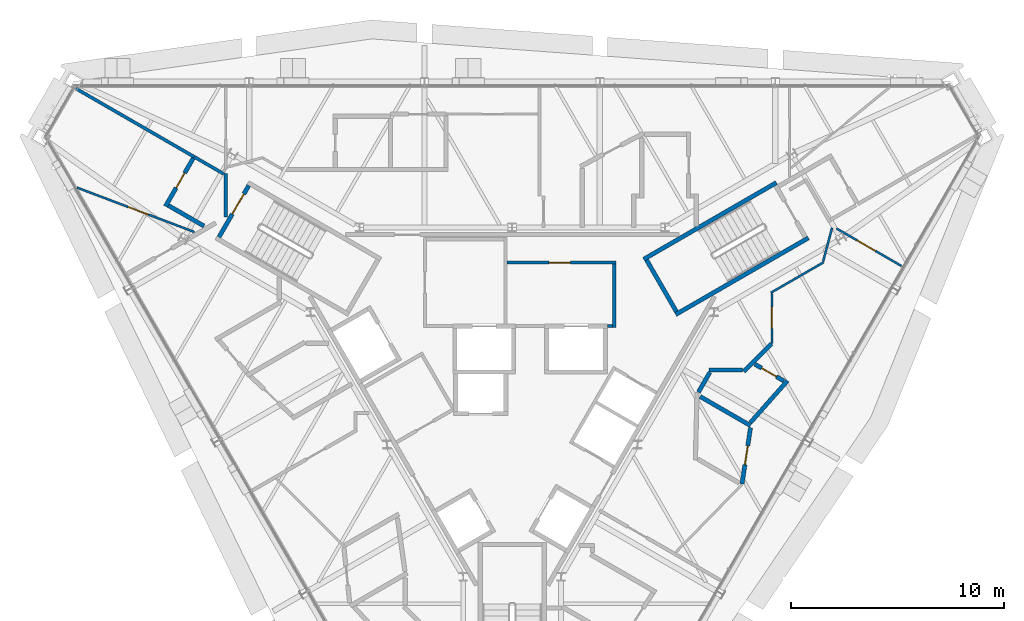
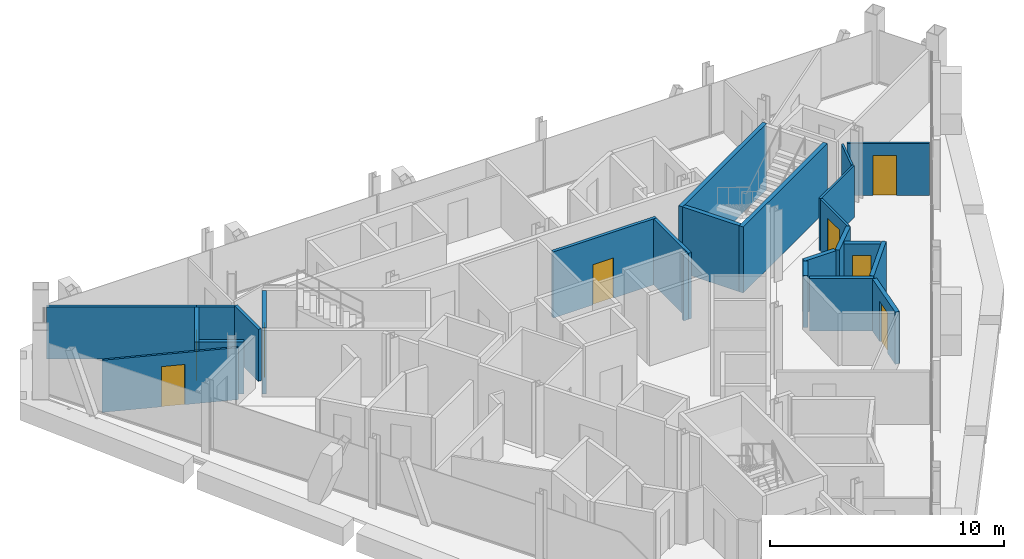
# One storey, part 11 of 15: 24 walls, 8 doors, 8 openings.
"""IFC4 building model written with IfcOpenShell, lengths in metres."""

from ifc_helpers import new_model, si_unit, direction, frame, frame_2d, origin, place, context, subcontext, project, spatial, rectangle, extrude, material, layer, layer_set, type_object, element, fill, save


model = new_model("IFC4")

# Units and contexts
model_context = context("Model", 3, precision=1e-05, world=origin(), true_north=direction((0.0, 1.0)))
body_context = subcontext(model_context, "Body", "Model", "MODEL_VIEW")
ifc_project = project(units=[si_unit("LENGTHUNIT", "METRE"), si_unit("AREAUNIT", "SQUARE_METRE"), si_unit("VOLUMEUNIT", "CUBIC_METRE"), si_unit("PLANEANGLEUNIT", "RADIAN"), si_unit("MASSUNIT", "GRAM", prefix="KILO")], contexts=[model_context])

# Site, building, storey
site_placement = place(None, origin())
site = spatial("IfcSite", under=ifc_project, at=site_placement, CompositionType="ELEMENT")
building_placement = place(site_placement, origin())
building = spatial("IfcBuilding", under=site, at=building_placement, Name="Verrane Prism Tower", CompositionType="ELEMENT")
storey_placement = place(building_placement, frame((0.0, 0.0, 301.0)))
storey = spatial("IfcBuildingStorey", under=building, at=storey_placement, Name="L76", CompositionType="ELEMENT", Elevation=301.0)

# Walls
ifc_material_1 = material(Name="Concrete C40/50", Category="concrete")
ifc_layer_1 = layer(ifc_material_1, 0.199951171875)
ifc_layer_set_1 = layer_set([ifc_layer_1], Name="CW-200 stair core wall concrete C40/50 3 h")
wall_type_1 = type_object("IfcWallType", Name="CW-200 stair core wall concrete C40/50 3 h", PredefinedType="PARTITIONING", material=ifc_layer_set_1)
for number, where, z_axis, x_axis, name in (
    (1, (6.17822265625, 5.299072265625, 0.0), (0.0, 0.0, 1.0), (0.866033125095, 0.499986626058, 0.0), "Stair 1 enclosure wall"),
    (2, (7.67822265625, 2.700927734375, 0.0), (0.0, 0.0, 1.0), (0.866018442252, 0.500012057535, 0.0), "Stair 1 enclosure wall"),
):
    element("IfcWall", number, at=place(storey_placement, frame(where, z_axis=z_axis, x_axis=x_axis)), inside=storey, type_object=wall_type_1, Name=name, PredefinedType="PARTITIONING", context=body_context, shape_type="SweptSolid", body=[
        extrude(rectangle(XDim=7.199951171875, YDim=0.199951171875, at=frame_2d((3.60009765625, 0.0))), origin(), (0.0, 0.0, 1.0), 3.449951171875),
    ])
wall_1_placement = place(storey_placement, frame((7.71484375, 2.837646484375, 0.0), z_axis=(0.0, 0.0, 1.0), x_axis=(-0.500049511043, 0.865996816683, 0.0)))
element("IfcWall", 3, at=wall_1_placement, inside=storey, type_object=wall_type_1, Name="Stair 1 enclosure wall", PredefinedType="PARTITIONING", context=body_context, shape_type="SweptSolid", body=[
    extrude(rectangle(XDim=2.800048828125, YDim=0.199951171875, at=frame_2d((1.39990234375, 0.0))), origin(), (0.0, 0.0, 1.0), 3.449951171875),
])

# Wall, opening, door
wall_2_placement = place(storey_placement, frame((-12.376953125, 8.762451171875, 0.0), z_axis=(0.0, 0.0, 1.0), x_axis=(-0.500049511043, -0.865996816683, 0.0)))
wall_2 = element("IfcWall", 4, at=wall_2_placement, inside=storey, type_object=wall_type_1, Name="Stair 2 enclosure wall", PredefinedType="PARTITIONING", context=body_context, shape_type="SweptSolid", body=[
    extrude(rectangle(XDim=2.800048828125, YDim=0.199951171875, at=frame_2d((1.39990234375, 0.0))), origin(), (0.0, 0.0, 1.0), 3.449951171875),
])
opening_1_placement = place(wall_2_placement, frame((0.449951171875, 0.0, 0.0)))
opening_1 = element("IfcOpeningElement", 5, at=opening_1_placement, cuts=wall_2, Name="Opening D75501", PredefinedType="OPENING", context=body_context, shape_type="SweptSolid", body=[
    extrude(rectangle(XDim=1.10009765625, YDim=2.10009765625, at=frame_2d((0.550048828125, 1.050048828125))), frame((0.0, 0.10986328125, 0.0), z_axis=(0.0, -1.0, 0.0), x_axis=(1.0, 0.0, 0.0)), (0.0, 0.0, 1.0), 0.219970703125),
])
ifc_material_2 = material(Name="Timber veneered door leaf", Category="wood")
door_type_1 = type_object("IfcDoorType", Name="DR-1100x2100 FD90 single leaf stair", OperationType="NOTDEFINED", PredefinedType="DOOR", material=ifc_material_2)
door_1_placement = place(opening_1_placement, origin())
door_1 = element("IfcDoor", 6, at=door_1_placement, inside=storey, type_object=door_type_1, Name="Stair 2 door", OperationType="SINGLE_SWING_RIGHT", OverallHeight=2.10009765625, OverallWidth=1.10009765625, PredefinedType="DOOR", context=body_context, shape_type="SweptSolid", body=[
    extrude(rectangle(XDim=1.10009765625, YDim=2.10009765625, at=frame_2d((0.550048828125, 1.050048828125))), frame((0.0, 0.02490234375, 0.0), z_axis=(0.0, -1.0, 0.0), x_axis=(1.0, 0.0, 0.0)), (0.0, 0.0, 1.0), 0.050048828125),
])
fill(opening_1, door_1)

ifc_material_3 = material(Name="Gypsum board partition", Category="other")
ifc_layer_2 = layer(ifc_material_3, 0.14990234375)
ifc_layer_set_2 = layer_set([ifc_layer_2], Name="LF-150 firefighting lobby wall 1 h")
wall_type_2 = type_object("IfcWallType", Name="LF-150 firefighting lobby wall 1 h", PredefinedType="PARTITIONING", material=ifc_layer_set_2)
wall_3_placement = place(storey_placement, frame((-0.2451171875, 5.139892578125, 0.0), z_axis=(0.0, 0.0, 1.0), x_axis=(1.0, 0.0, 0.0)))
wall_3 = element("IfcWall", 7, at=wall_3_placement, inside=storey, type_object=wall_type_2, Name="Firefighting lobby wall LF1-005", PredefinedType="PARTITIONING", context=body_context, shape_type="SweptSolid", body=[
    extrude(rectangle(XDim=5.110107421875, YDim=0.14990234375, at=frame_2d((2.55517578125, 0.0))), origin(), (0.0, 0.0, 1.0), 3.449951171875),
])
opening_2_placement = place(wall_3_placement, frame((1.97509765625, 0.0, 0.0)))
opening_2 = element("IfcOpeningElement", 8, at=opening_2_placement, cuts=wall_3, Name="Opening D75513", PredefinedType="OPENING", context=body_context, shape_type="SweptSolid", body=[
    extrude(rectangle(XDim=1.0, YDim=2.10009765625, at=frame_2d((0.5, 1.050048828125))), frame((0.0, 0.0849609375, 0.0), z_axis=(0.0, -1.0, 0.0), x_axis=(1.0, 0.0, 0.0)), (0.0, 0.0, 1.0), 0.169921875),
])
ifc_material_4 = material(Name="Timber veneered door leaf", Category="wood")
door_type_2 = type_object("IfcDoorType", Name="DR-1000x2100 FD60 single leaf firefighting lobby", OperationType="NOTDEFINED", PredefinedType="DOOR", material=ifc_material_4)
door_2_placement = place(opening_2_placement, origin())
door_2 = element("IfcDoor", 9, at=door_2_placement, inside=storey, type_object=door_type_2, Name="Firefighting lobby door D75513", OperationType="SINGLE_SWING_LEFT", OverallHeight=2.10009765625, OverallWidth=1.0, PredefinedType="DOOR", context=body_context, shape_type="SweptSolid", body=[
    extrude(rectangle(XDim=1.0, YDim=2.10009765625, at=frame_2d((0.5, 1.050048828125))), frame((0.0, 0.02490234375, 0.0), z_axis=(0.0, -1.0, 0.0), x_axis=(1.0, 0.0, 0.0)), (0.0, 0.0, 1.0), 0.050048828125),
])
fill(opening_2, door_2)

# Walls
wall_4_placement = place(storey_placement, frame((4.47705078125, 2.159912109375, 0.0), z_axis=(0.0, 0.0, 1.0), x_axis=(1.0, 0.0, 0.0)))
element("IfcWall", 10, at=wall_4_placement, inside=storey, type_object=wall_type_2, Name="Firefighting lobby wall LF1-007", PredefinedType="PARTITIONING", context=body_context, shape_type="SweptSolid", body=[
    extrude(rectangle(XDim=0.238037109375, YDim=0.14990234375, at=frame_2d((0.119140625, 0.0))), origin(), (0.0, 0.0, 1.0), 3.449951171875),
])
wall_5_placement = place(storey_placement, frame((4.7900390625, 2.0849609375, 0.0), z_axis=(0.0, 0.0, 1.0), x_axis=(0.0, 1.0, 0.0)))
element("IfcWall", 11, at=wall_5_placement, inside=storey, type_object=wall_type_2, Name="Firefighting lobby wall LF1-008", PredefinedType="PARTITIONING", context=body_context, shape_type="SweptSolid", body=[
    extrude(rectangle(XDim=2.97998046875, YDim=0.14990234375, at=frame_2d((1.489990234375, 0.0))), origin(), (0.0, 0.0, 1.0), 3.449951171875),
])

# Wall, opening, door
ifc_material_5 = material(Name="Gypsum board partition", Category="other")
ifc_layer_3 = layer(ifc_material_5, 0.10009765625)
ifc_layer_set_3 = layer_set([ifc_layer_3], Name="PW-100 room partition")
wall_type_3 = type_object("IfcWallType", Name="PW-100 room partition", PredefinedType="PARTITIONING", material=ifc_layer_set_3)
wall_6_placement = place(storey_placement, frame((-20.454345703125, 8.66748046875, 0.0), z_axis=(0.0, 0.0, 1.0), x_axis=(0.935410436961, -0.353563734601, 0.0)))
wall_6 = element("IfcWall", 12, at=wall_6_placement, inside=storey, type_object=wall_type_3, Name="Room partition 002", PredefinedType="PARTITIONING", context=body_context, shape_type="SweptSolid", body=[
    extrude(rectangle(XDim=5.90673828125, YDim=0.10009765625, at=frame_2d((2.953369140625, 0.0))), origin(), (0.0, 0.0, 1.0), 2.722900390625),
])
opening_3_placement = place(wall_6_placement, frame((2.581787109375, 0.0, 0.0)))
opening_3 = element("IfcOpeningElement", 13, at=opening_3_placement, cuts=wall_6, Name="Opening D75025", PredefinedType="OPENING", context=body_context, shape_type="SweptSolid", body=[
    extrude(rectangle(XDim=1.0, YDim=2.10009765625, at=frame_2d((0.5, 1.050048828125))), frame((0.0, 0.06005859375, 0.0), z_axis=(0.0, -1.0, 0.0), x_axis=(1.0, 0.0, 0.0)), (0.0, 0.0, 1.0), 0.1201171875),
])
ifc_material_6 = material(Name="Timber veneered door leaf", Category="wood")
door_type_3 = type_object("IfcDoorType", Name="DR-1000x2100 single leaf inner", OperationType="NOTDEFINED", PredefinedType="DOOR", material=ifc_material_6)
door_3_placement = place(opening_3_placement, origin())
door_3 = element("IfcDoor", 14, at=door_3_placement, inside=storey, type_object=door_type_3, Name="Study door", OperationType="SINGLE_SWING_LEFT", OverallHeight=2.10009765625, OverallWidth=1.0, PredefinedType="DOOR", context=body_context, shape_type="SweptSolid", body=[
    extrude(rectangle(XDim=1.0, YDim=2.10009765625, at=frame_2d((0.5, 1.050048828125))), frame((0.0, 0.02490234375, 0.0), z_axis=(0.0, -1.0, 0.0), x_axis=(1.0, 0.0, 0.0)), (0.0, 0.0, 1.0), 0.050048828125),
])
fill(opening_3, door_3)

wall_7_placement = place(storey_placement, frame((12.198974609375, 3.681884765625, 0.0), z_axis=(0.0, 0.0, 1.0), x_axis=(0.0, -1.0, 0.0)))
wall_7 = element("IfcWall", 15, at=wall_7_placement, inside=storey, type_object=wall_type_3, Name="Room partition 080", PredefinedType="PARTITIONING", context=body_context, shape_type="SweptSolid", body=[
    extrude(rectangle(XDim=2.330810546875, YDim=0.10009765625, at=frame_2d((1.16552734375, 0.0))), origin(), (0.0, 0.0, 1.0), 2.722900390625),
])
opening_4_placement = place(wall_7_placement, frame((0.631103515625, 0.0, 0.0)))
opening_4 = element("IfcOpeningElement", 16, at=opening_4_placement, cuts=wall_7, Name="Opening D75007", PredefinedType="OPENING", context=body_context, shape_type="SweptSolid", body=[
    extrude(rectangle(XDim=1.0, YDim=2.10009765625, at=frame_2d((0.5, 1.050048828125))), frame((0.0, 0.06005859375, 0.0), z_axis=(0.0, -1.0, 0.0), x_axis=(1.0, 0.0, 0.0)), (0.0, 0.0, 1.0), 0.1201171875),
])
door_4_placement = place(opening_4_placement, origin())
door_4 = element("IfcDoor", 17, at=door_4_placement, inside=storey, type_object=door_type_3, Name="Entrance Foyer door", OperationType="SINGLE_SWING_RIGHT", OverallHeight=2.10009765625, OverallWidth=1.0, PredefinedType="DOOR", context=body_context, shape_type="SweptSolid", body=[
    extrude(rectangle(XDim=1.0, YDim=2.10009765625, at=frame_2d((0.5, 1.050048828125))), frame((0.0, 0.02490234375, 0.0), z_axis=(0.0, -1.0, 0.0), x_axis=(1.0, 0.0, 0.0)), (0.0, 0.0, 1.0), 0.050048828125),
])
fill(opening_4, door_4)

# Walls
wall_8_placement = place(storey_placement, frame((12.15576171875, 3.72705078125, 0.0), z_axis=(0.0, 0.0, 1.0), x_axis=(0.866012137121, 0.500022977831, 0.0)))
element("IfcWall", 18, at=wall_8_placement, inside=storey, type_object=wall_type_3, Name="Room partition 081", PredefinedType="PARTITIONING", context=body_context, shape_type="SweptSolid", body=[
    extrude(rectangle(XDim=2.859619140625, YDim=0.10009765625, at=frame_2d((1.4296875, 0.0))), origin(), (0.0, 0.0, 1.0), 2.722900390625),
])
wall_9_placement = place(storey_placement, frame((14.607177734375, 5.19970703125, 0.0), z_axis=(0.0, 0.0, 1.0), x_axis=(0.258519214507, 0.966006115783, 0.0)))
element("IfcWall", 19, at=wall_9_placement, inside=storey, type_object=wall_type_3, Name="Room partition 087", PredefinedType="PARTITIONING", context=body_context, shape_type="SweptSolid", body=[
    extrude(rectangle(XDim=1.6318359375, YDim=0.10009765625, at=frame_2d((0.81591796875, 0.0))), origin(), (0.0, 0.0, 1.0), 2.722900390625),
])

# Wall, opening, door
wall_10_placement = place(storey_placement, frame((15.23779296875, 6.74365234375, 0.0), z_axis=(0.0, 0.0, 1.0), x_axis=(0.866104892567, -0.49986229611, 0.0)))
wall_10 = element("IfcWall", 20, at=wall_10_placement, inside=storey, type_object=wall_type_3, Name="Room partition 090", PredefinedType="PARTITIONING", context=body_context, shape_type="SweptSolid", body=[
    extrude(rectangle(XDim=3.5263671875, YDim=0.10009765625, at=frame_2d((1.76318359375, 0.0))), origin(), (0.0, 0.0, 1.0), 2.722900390625),
])
opening_5_placement = place(wall_10_placement, frame((1.113525390625, 0.0, 0.0)))
opening_5 = element("IfcOpeningElement", 21, at=opening_5_placement, cuts=wall_10, Name="Opening D75009", PredefinedType="OPENING", context=body_context, shape_type="SweptSolid", body=[
    extrude(rectangle(XDim=1.0, YDim=2.10009765625, at=frame_2d((0.5, 1.050048828125))), frame((0.0, 0.06005859375, 0.0), z_axis=(0.0, -1.0, 0.0), x_axis=(1.0, 0.0, 0.0)), (0.0, 0.0, 1.0), 0.1201171875),
])
door_5_placement = place(opening_5_placement, origin())
door_5 = element("IfcDoor", 22, at=door_5_placement, inside=storey, type_object=door_type_3, Name="Living And Dining Room door", OperationType="SINGLE_SWING_LEFT", OverallHeight=2.10009765625, OverallWidth=1.0, PredefinedType="DOOR", context=body_context, shape_type="SweptSolid", body=[
    extrude(rectangle(XDim=1.0, YDim=2.10009765625, at=frame_2d((0.5, 1.050048828125))), frame((0.0, 0.02490234375, 0.0), z_axis=(0.0, -1.0, 0.0), x_axis=(1.0, 0.0, 0.0)), (0.0, 0.0, 1.0), 0.050048828125),
])
fill(opening_5, door_5)

# Walls
ifc_material_7 = material(Name="Gypsum board partition", Category="other")
ifc_layer_4 = layer(ifc_material_7, 0.14990234375)
ifc_layer_set_4 = layer_set([ifc_layer_4], Name="PW-150 demising wall 1 h")
wall_type_4 = type_object("IfcWallType", Name="PW-150 demising wall 1 h", PredefinedType="PARTITIONING", material=ifc_layer_set_4)
wall_11_placement = place(storey_placement, frame((-20.505859375, 13.323974609375, 0.0), z_axis=(0.0, 0.0, 1.0), x_axis=(0.866004971522, -0.500035388047, 0.0)))
element("IfcWall", 23, at=wall_11_placement, inside=storey, type_object=wall_type_4, Name="Demising wall 001", PredefinedType="PARTITIONING", context=body_context, shape_type="SweptSolid", body=[
    extrude(rectangle(XDim=6.41552734375, YDim=0.14990234375, at=frame_2d((3.207763671875, 0.0))), origin(), (0.0, 0.0, 1.0), 2.722900390625),
])
wall_12_placement = place(storey_placement, frame((-14.945068359375, 10.114013671875, 0.0), z_axis=(0.0, 0.0, 1.0), x_axis=(0.865722560266, -0.500524173887, 0.0)))
element("IfcWall", 24, at=wall_12_placement, inside=storey, type_object=wall_type_4, Name="Demising wall 006", PredefinedType="PARTITIONING", context=body_context, shape_type="SweptSolid", body=[
    extrude(rectangle(XDim=1.616455078125, YDim=0.14990234375, at=frame_2d((0.80810546875, 0.0))), origin(), (0.0, 0.0, 1.0), 2.722900390625),
])
wall_13_placement = place(storey_placement, frame((-13.458984375, 7.27587890625, 0.0), z_axis=(0.0, 0.0, 1.0), x_axis=(0.0, 1.0, 0.0)))
element("IfcWall", 25, at=wall_13_placement, inside=storey, type_object=wall_type_4, Name="Demising wall 010", PredefinedType="PARTITIONING", context=body_context, shape_type="SweptSolid", body=[
    extrude(rectangle(XDim=2.05419921875, YDim=0.14990234375, at=frame_2d((1.027099609375, 0.0))), origin(), (0.0, 0.0, 1.0), 2.722900390625),
])

# Wall, opening, door
ifc_material_8 = material(Name="Gypsum board partition", Category="other")
ifc_layer_5 = layer(ifc_material_8, 0.199951171875)
ifc_layer_set_5 = layer_set([ifc_layer_5], Name="PW-200 plumbing wall")
wall_type_5 = type_object("IfcWallType", Name="PW-200 plumbing wall", PredefinedType="PARTITIONING", material=ifc_layer_set_5)
wall_14_placement = place(storey_placement, frame((-14.985107421875, 10.044677734375, 0.0), z_axis=(0.0, 0.0, 1.0), x_axis=(-0.499917058339, -0.866073284879, 0.0)))
wall_14 = element("IfcWall", 26, at=wall_14_placement, inside=storey, type_object=wall_type_5, Name="Plumbing wall 004", PredefinedType="PARTITIONING", context=body_context, shape_type="SweptSolid", body=[
    extrude(rectangle(XDim=2.6064453125, YDim=0.199951171875, at=frame_2d((1.30322265625, 0.0))), origin(), (0.0, 0.0, 1.0), 2.722900390625),
])
opening_6_placement = place(wall_14_placement, frame((0.806396484375, 0.0, 0.0)))
opening_6 = element("IfcOpeningElement", 27, at=opening_6_placement, cuts=wall_14, Name="Opening D75026", PredefinedType="OPENING", context=body_context, shape_type="SweptSolid", body=[
    extrude(rectangle(XDim=0.800048828125, YDim=2.10009765625, at=frame_2d((0.39990234375, 1.050048828125))), frame((0.0, 0.10986328125, 0.0), z_axis=(0.0, -1.0, 0.0), x_axis=(1.0, 0.0, 0.0)), (0.0, 0.0, 1.0), 0.219970703125),
])
ifc_material_9 = material(Name="Timber veneered door leaf", Category="wood")
door_type_4 = type_object("IfcDoorType", Name="DR-800x2100 single leaf bath", OperationType="NOTDEFINED", PredefinedType="DOOR", material=ifc_material_9)
door_6_placement = place(opening_6_placement, origin())
door_6 = element("IfcDoor", 28, at=door_6_placement, inside=storey, type_object=door_type_4, Name="Master Bathroom door", OperationType="SINGLE_SWING_LEFT", OverallHeight=2.10009765625, OverallWidth=0.800048828125, PredefinedType="DOOR", context=body_context, shape_type="SweptSolid", body=[
    extrude(rectangle(XDim=0.800048828125, YDim=2.10009765625, at=frame_2d((0.39990234375, 1.050048828125))), frame((0.0, 0.02490234375, 0.0), z_axis=(0.0, -1.0, 0.0), x_axis=(1.0, 0.0, 0.0)), (0.0, 0.0, 1.0), 0.050048828125),
])
fill(opening_6, door_6)

# Walls
wall_15_placement = place(storey_placement, frame((-16.1513671875, 7.823974609375, 0.0), z_axis=(0.0, 0.0, 1.0), x_axis=(0.86603803935, -0.499978113919, 0.0)))
element("IfcWall", 29, at=wall_15_placement, inside=storey, type_object=wall_type_5, Name="Plumbing wall 005", PredefinedType="PARTITIONING", context=body_context, shape_type="SweptSolid", body=[
    extrude(rectangle(XDim=1.9287109375, YDim=0.199951171875, at=frame_2d((0.96435546875, 0.0))), origin(), (0.0, 0.0, 1.0), 2.722900390625),
])
wall_16_placement = place(storey_placement, frame((8.74853515625, -0.947021484375, 0.0), z_axis=(0.0, 0.0, 1.0), x_axis=(0.499656913366, 0.866223394354, 0.0)))
element("IfcWall", 30, at=wall_16_placement, inside=storey, type_object=wall_type_5, Name="Plumbing wall 073", PredefinedType="PARTITIONING", context=body_context, shape_type="SweptSolid", body=[
    extrude(rectangle(XDim=1.074951171875, YDim=0.199951171875, at=frame_2d((0.53759765625, 0.0))), origin(), (0.0, 0.0, 1.0), 2.722900390625),
])
wall_17_placement = place(storey_placement, frame((8.828125, -1.149169921875, 0.0), z_axis=(0.0, 0.0, 1.0), x_axis=(0.865853899269, -0.50029693695, 0.0)))
element("IfcWall", 31, at=wall_17_placement, inside=storey, type_object=wall_type_5, Name="Plumbing wall 074", PredefinedType="PARTITIONING", context=body_context, shape_type="SweptSolid", body=[
    extrude(rectangle(XDim=2.734130859375, YDim=0.199951171875, at=frame_2d((1.3671875, 0.0))), origin(), (0.0, 0.0, 1.0), 2.722900390625),
])
wall_18_placement = place(storey_placement, frame((9.2529296875, 0.10107421875, 0.0), z_axis=(0.0, 0.0, 1.0), x_axis=(1.0, 0.0, 0.0)))
element("IfcWall", 32, at=wall_18_placement, inside=storey, type_object=wall_type_5, Name="Plumbing wall 075", PredefinedType="PARTITIONING", context=body_context, shape_type="SweptSolid", body=[
    extrude(rectangle(XDim=1.55615234375, YDim=0.199951171875, at=frame_2d((0.778076171875, 0.0))), origin(), (0.0, 0.0, 1.0), 2.722900390625),
])

# Wall, opening, door
wall_19_placement = place(storey_placement, frame((10.79736328125, -5.25634765625, 0.0), z_axis=(0.0, 0.0, 1.0), x_axis=(0.148961207986, 0.988843040384, 0.0)))
wall_19 = element("IfcWall", 33, at=wall_19_placement, inside=storey, type_object=wall_type_5, Name="Plumbing wall 076", PredefinedType="PARTITIONING", context=body_context, shape_type="SweptSolid", body=[
    extrude(rectangle(XDim=2.673095703125, YDim=0.199951171875, at=frame_2d((1.33642578125, 0.0))), origin(), (0.0, 0.0, 1.0), 2.722900390625),
])
opening_7_placement = place(wall_19_placement, frame((0.919921875, 0.0, 0.0)))
opening_7 = element("IfcOpeningElement", 34, at=opening_7_placement, cuts=wall_19, Name="Opening D75008", PredefinedType="OPENING", context=body_context, shape_type="SweptSolid", body=[
    extrude(rectangle(XDim=0.89990234375, YDim=2.10009765625, at=frame_2d((0.449951171875, 1.050048828125))), frame((0.0, 0.10986328125, 0.0), z_axis=(0.0, -1.0, 0.0), x_axis=(1.0, 0.0, 0.0)), (0.0, 0.0, 1.0), 0.219970703125),
])
ifc_material_10 = material(Name="Timber veneered door leaf", Category="wood")
door_type_5 = type_object("IfcDoorType", Name="DR-900x2100 single leaf inner", OperationType="NOTDEFINED", PredefinedType="DOOR", material=ifc_material_10)
door_7_placement = place(opening_7_placement, origin())
door_7 = element("IfcDoor", 35, at=door_7_placement, inside=storey, type_object=door_type_5, Name="Kitchen door", OperationType="SINGLE_SWING_RIGHT", OverallHeight=2.10009765625, OverallWidth=0.89990234375, PredefinedType="DOOR", context=body_context, shape_type="SweptSolid", body=[
    extrude(rectangle(XDim=0.89990234375, YDim=2.10009765625, at=frame_2d((0.449951171875, 1.050048828125))), frame((0.0, 0.02490234375, 0.0), z_axis=(0.0, -1.0, 0.0), x_axis=(1.0, 0.0, 0.0)), (0.0, 0.0, 1.0), 0.050048828125),
])
fill(opening_7, door_7)

# Walls
wall_20_placement = place(storey_placement, frame((10.878173828125, 0.0302734375, 0.0), z_axis=(0.0, 0.0, 1.0), x_axis=(0.707173379423, 0.707040176677, 0.0)))
element("IfcWall", 36, at=wall_20_placement, inside=storey, type_object=wall_type_5, Name="Plumbing wall 077", PredefinedType="PARTITIONING", context=body_context, shape_type="SweptSolid", body=[
    extrude(rectangle(XDim=1.832763671875, YDim=0.199951171875, at=frame_2d((0.91650390625, 0.0))), origin(), (0.0, 0.0, 1.0), 2.722900390625),
])
wall_21_placement = place(storey_placement, frame((11.1884765625, -2.377197265625, 0.0), z_axis=(0.0, 0.0, 1.0), x_axis=(0.663045631266, 0.748578981043, 0.0)))
element("IfcWall", 37, at=wall_21_placement, inside=storey, type_object=wall_type_5, Name="Plumbing wall 078", PredefinedType="PARTITIONING", context=body_context, shape_type="SweptSolid", body=[
    extrude(rectangle(XDim=2.634521484375, YDim=0.199951171875, at=frame_2d((1.3173828125, 0.0))), origin(), (0.0, 0.0, 1.0), 2.722900390625),
])

# Wall, opening, door
wall_22_placement = place(storey_placement, frame((12.7607421875, -0.41748046875, 0.0), z_axis=(0.0, 0.0, 1.0), x_axis=(-0.866030680601, 0.499990860175, 0.0)))
wall_22 = element("IfcWall", 38, at=wall_22_placement, inside=storey, type_object=wall_type_5, Name="Plumbing wall 079", PredefinedType="PARTITIONING", context=body_context, shape_type="SweptSolid", body=[
    extrude(rectangle(XDim=1.57470703125, YDim=0.199951171875, at=frame_2d((0.787353515625, 0.0))), origin(), (0.0, 0.0, 1.0), 2.722900390625),
])
opening_8_placement = place(wall_22_placement, frame((0.405029296875, 0.0, 0.0)))
opening_8 = element("IfcOpeningElement", 39, at=opening_8_placement, cuts=wall_22, Name="Opening D75010", PredefinedType="OPENING", context=body_context, shape_type="SweptSolid", body=[
    extrude(rectangle(XDim=0.800048828125, YDim=2.10009765625, at=frame_2d((0.39990234375, 1.050048828125))), frame((0.0, 0.10986328125, 0.0), z_axis=(0.0, -1.0, 0.0), x_axis=(1.0, 0.0, 0.0)), (0.0, 0.0, 1.0), 0.219970703125),
])
ifc_material_11 = material(Name="Timber veneered door leaf", Category="wood")
door_type_6 = type_object("IfcDoorType", Name="DR-800x2100 single leaf inner", OperationType="NOTDEFINED", PredefinedType="DOOR", material=ifc_material_11)
door_8_placement = place(opening_8_placement, origin())
door_8 = element("IfcDoor", 40, at=door_8_placement, inside=storey, type_object=door_type_6, Name="Bathroom door", OperationType="SINGLE_SWING_LEFT", OverallHeight=2.10009765625, OverallWidth=0.800048828125, PredefinedType="DOOR", context=body_context, shape_type="SweptSolid", body=[
    extrude(rectangle(XDim=0.800048828125, YDim=2.10009765625, at=frame_2d((0.39990234375, 1.050048828125))), frame((0.0, 0.02490234375, 0.0), z_axis=(0.0, -1.0, 0.0), x_axis=(1.0, 0.0, 0.0)), (0.0, 0.0, 1.0), 0.050048828125),
])
fill(opening_8, door_8)

save(model, "model.ifc")
